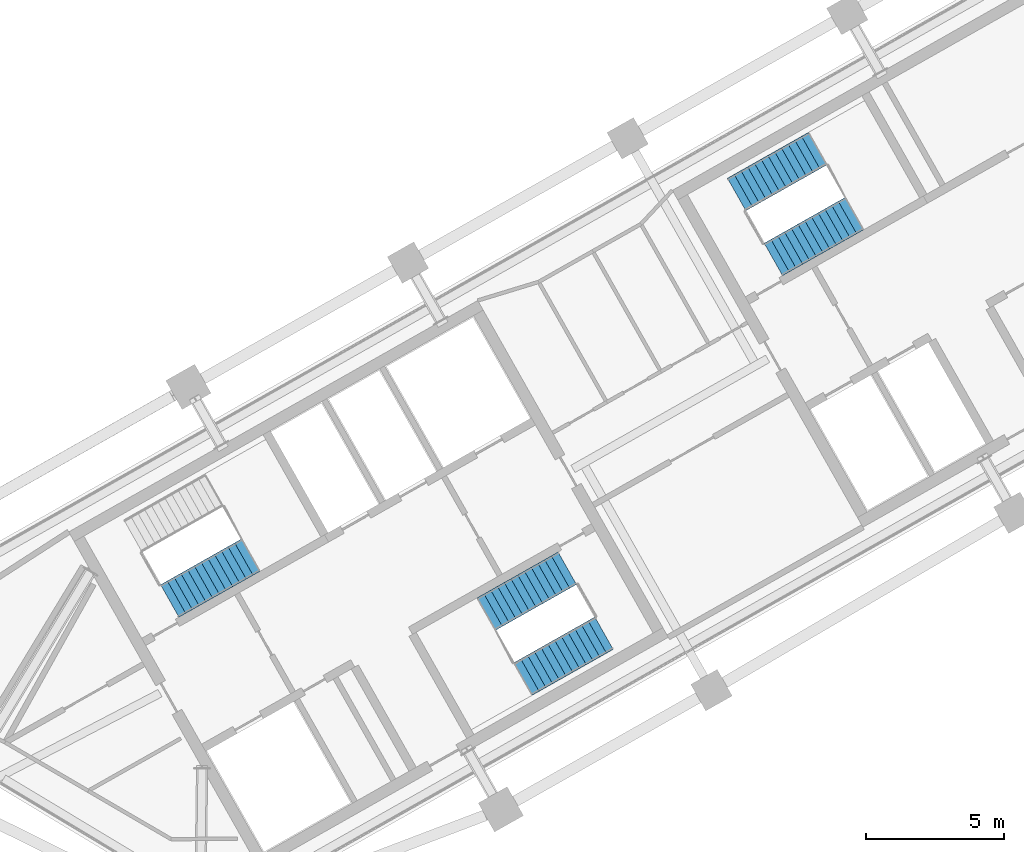
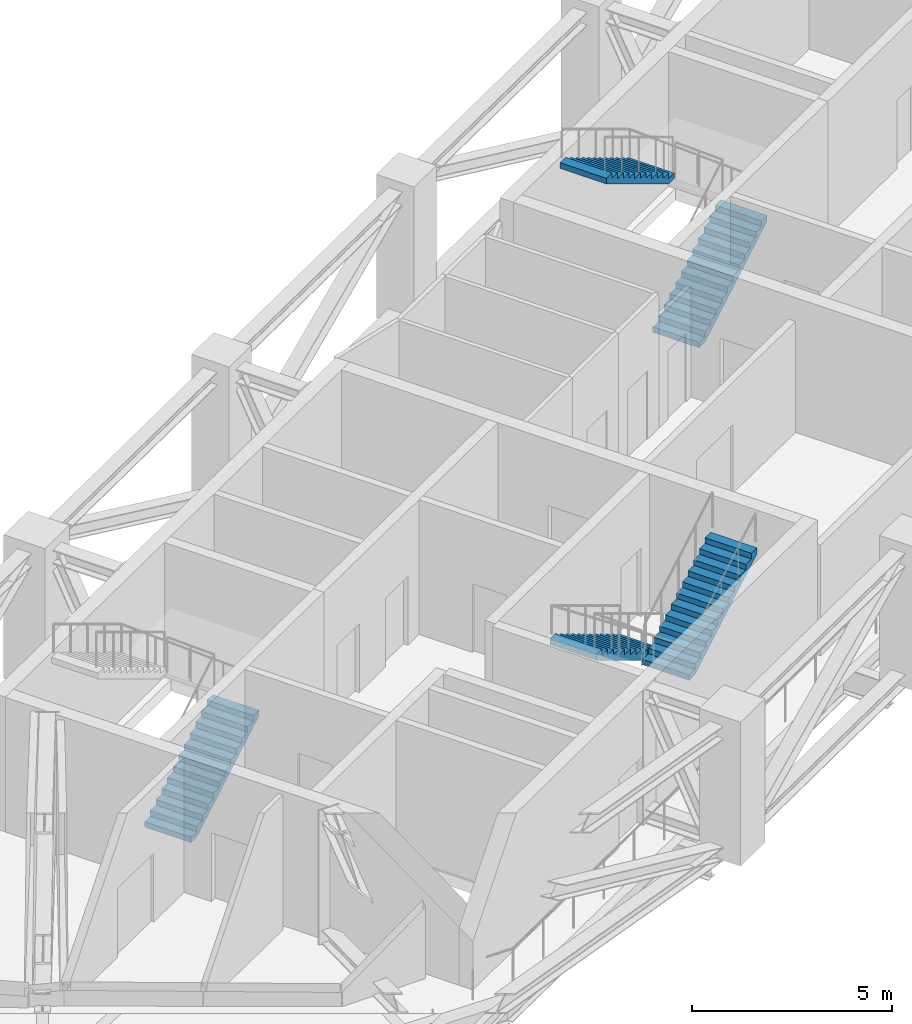
# One storey, part 8 of 10: 5 stair flights, 3 elements without a shape of their own.
"""IFC4 building model written with IfcOpenShell, lengths in metres."""

from ifc_helpers import new_model, si_unit, direction, frame, origin, place, context, subcontext, project, spatial, polyline, outline, extrude, material, type_object, element, aggregate, save


model = new_model("IFC4")

# Units and contexts
model_context = context("Model", 3, precision=1e-05, world=origin(), true_north=direction((0.0, 1.0)))
body_context = subcontext(model_context, "Body", "Model", "MODEL_VIEW")
ifc_project = project(units=[si_unit("LENGTHUNIT", "METRE"), si_unit("AREAUNIT", "SQUARE_METRE"), si_unit("VOLUMEUNIT", "CUBIC_METRE"), si_unit("PLANEANGLEUNIT", "RADIAN"), si_unit("MASSUNIT", "GRAM", prefix="KILO")], contexts=[model_context])

# Site, building, storey
site_placement = place(None, origin())
site = spatial("IfcSite", under=ifc_project, at=site_placement, CompositionType="ELEMENT")
building_placement = place(site_placement, origin())
building = spatial("IfcBuilding", under=site, at=building_placement, Name="Binnacle Exchange Tower", CompositionType="ELEMENT")
storey_placement = place(building_placement, frame((0.0, 0.0, 312.10009765625)))
storey = spatial("IfcBuildingStorey", under=building, at=storey_placement, Name="L70", CompositionType="ELEMENT", Elevation=312.10009765625)

# Stair, stair flight
ifc_material = material(Name="Concrete C35/45", Category="concrete")
stair_type = type_object("IfcStairType", Name="STAIR 26 RISERS 169", PredefinedType="HALF_TURN_STAIR", material=ifc_material)
stair_1_placement = place(storey_placement, origin())
stair_1 = element("IfcStair", 1, at=stair_1_placement, inside=storey, type_object=stair_type, Name="L70 Escape stair A1", PredefinedType="HALF_TURN_STAIR")
stair_flight_type = type_object("IfcStairFlightType", Name="STAIR FLIGHT 169X280", PredefinedType="STRAIGHT", material=ifc_material)
stair_flight_1_placement = place(storey_placement, frame((-42.9541015625, 39.17333984375, 0.0), z_axis=(0.0, 0.0, 1.0), x_axis=(0.870355584213, 0.492423757581, 0.0)))
stair_flight_1 = element("IfcStairFlight", 2, at=stair_flight_1_placement, type_object=stair_flight_type, Name="STA1 flight 1", NumberOfRisers=13, NumberOfTreads=12, PredefinedType="STRAIGHT", RiserHeight=0.169230769, TreadLength=0.28, context=body_context, shape_type="SweptSolid", body=[
    extrude(outline(polyline([(0.0, 0.0), (0.0, 0.169189453125), (0.280029296875, 0.169189453125), (0.280029296875, 0.33837890625), (0.56005859375, 0.33837890625), (0.56005859375, 0.5078125), (0.840087890625, 0.5078125), (0.840087890625, 0.677001953125), (1.1201171875, 0.677001953125), (1.1201171875, 0.84619140625), (1.39990234375, 0.84619140625), (1.39990234375, 1.015380859375), (1.679931640625, 1.015380859375), (1.679931640625, 1.1845703125), (1.9599609375, 1.1845703125), (1.9599609375, 1.353759765625), (2.239990234375, 1.353759765625), (2.239990234375, 1.523193359375), (2.52001953125, 1.523193359375), (2.52001953125, 1.6923828125), (2.800048828125, 1.6923828125), (2.800048828125, 1.861572265625), (3.080078125, 1.861572265625), (3.080078125, 2.03076171875), (3.360107421875, 2.03076171875), (3.360107421875, 2.199951171875), (3.360107421875, 1.855712890625), (0.289794921875, 0.0), (0.0, 0.0)])), frame((0.0, 0.675048828125, 0.0), z_axis=(0.0, -1.0, 0.0), x_axis=(1.0, 0.0, 0.0)), (0.0, 0.0, 1.0), 1.35009765625),
])
aggregate(stair_1, [stair_flight_1])

# Stair, stair flights
stair_2_placement = place(storey_placement, origin())
stair_2 = element("IfcStair", 3, at=stair_2_placement, inside=storey, type_object=stair_type, Name="L70 Escape stair A2", PredefinedType="HALF_TURN_STAIR")
stair_flight_2_placement = place(storey_placement, frame((-28.5732421875, 40.3583984375, 0.0), z_axis=(0.0, 0.0, 1.0), x_axis=(-0.870355584213, -0.492423757581, 0.0)))
stair_flight_2 = element("IfcStairFlight", 4, at=stair_flight_2_placement, type_object=stair_flight_type, Name="STA2 flight 1", NumberOfRisers=13, NumberOfTreads=12, PredefinedType="STRAIGHT", RiserHeight=0.169230769, TreadLength=0.28, context=body_context, shape_type="SweptSolid", body=[
    extrude(outline(polyline([(0.0, 0.0), (0.0, 0.169189453125), (0.280029296875, 0.169189453125), (0.280029296875, 0.33837890625), (0.56005859375, 0.33837890625), (0.56005859375, 0.5078125), (0.840087890625, 0.5078125), (0.840087890625, 0.677001953125), (1.1201171875, 0.677001953125), (1.1201171875, 0.84619140625), (1.39990234375, 0.84619140625), (1.39990234375, 1.015380859375), (1.679931640625, 1.015380859375), (1.679931640625, 1.1845703125), (1.9599609375, 1.1845703125), (1.9599609375, 1.353759765625), (2.239990234375, 1.353759765625), (2.239990234375, 1.523193359375), (2.52001953125, 1.523193359375), (2.52001953125, 1.6923828125), (2.800048828125, 1.6923828125), (2.800048828125, 1.861572265625), (3.080078125, 1.861572265625), (3.080078125, 2.03076171875), (3.360107421875, 2.03076171875), (3.360107421875, 2.199951171875), (3.360107421875, 1.855712890625), (0.289794921875, 0.0), (0.0, 0.0)])), frame((0.0, 0.675048828125, 0.0), z_axis=(0.0, -1.0, 0.0), x_axis=(1.0, 0.0, 0.0)), (0.0, 0.0, 1.0), 1.35009765625),
])
stair_flight_3_placement = place(storey_placement, frame((-30.16796875, 36.35400390625, 2.199951171875), z_axis=(0.0, 0.0, 1.0), x_axis=(0.870355584213, 0.492423757581, 0.0)))
stair_flight_3 = element("IfcStairFlight", 5, at=stair_flight_3_placement, type_object=stair_flight_type, Name="STA2 flight 2", NumberOfRisers=13, NumberOfTreads=12, PredefinedType="STRAIGHT", RiserHeight=0.169230769, TreadLength=0.28, context=body_context, shape_type="SweptSolid", body=[
    extrude(outline(polyline([(0.0, 0.0), (0.0, 0.169189453125), (0.280029296875, 0.169189453125), (0.280029296875, 0.33837890625), (0.56005859375, 0.33837890625), (0.56005859375, 0.5078125), (0.840087890625, 0.5078125), (0.840087890625, 0.677001953125), (1.1201171875, 0.677001953125), (1.1201171875, 0.84619140625), (1.39990234375, 0.84619140625), (1.39990234375, 1.015380859375), (1.679931640625, 1.015380859375), (1.679931640625, 1.1845703125), (1.9599609375, 1.1845703125), (1.9599609375, 1.353759765625), (2.239990234375, 1.353759765625), (2.239990234375, 1.523193359375), (2.52001953125, 1.523193359375), (2.52001953125, 1.6923828125), (2.800048828125, 1.6923828125), (2.800048828125, 1.861572265625), (3.080078125, 1.861572265625), (3.080078125, 2.03076171875), (3.360107421875, 2.03076171875), (3.360107421875, 2.199951171875), (3.360107421875, 1.855712890625), (0.289794921875, 0.0), (0.0, 0.0)])), frame((0.0, 0.675048828125, 0.0), z_axis=(0.0, -1.0, 0.0), x_axis=(1.0, 0.0, 0.0)), (0.0, 0.0, 1.0), 1.35009765625),
])
aggregate(stair_2, [stair_flight_2, stair_flight_3])

stair_3_placement = place(storey_placement, origin())
stair_3 = element("IfcStair", 6, at=stair_3_placement, inside=storey, type_object=stair_type, Name="L70 Escape stair C1", PredefinedType="HALF_TURN_STAIR")
stair_flight_4_placement = place(storey_placement, frame((-21.115966796875, 51.528564453125, 0.0), z_axis=(0.0, 0.0, 1.0), x_axis=(0.870355584213, 0.492423757581, 0.0)))
stair_flight_4 = element("IfcStairFlight", 7, at=stair_flight_4_placement, type_object=stair_flight_type, Name="STC1 flight 1", NumberOfRisers=13, NumberOfTreads=12, PredefinedType="STRAIGHT", RiserHeight=0.169230769, TreadLength=0.28, context=body_context, shape_type="SweptSolid", body=[
    extrude(outline(polyline([(0.0, 0.0), (0.0, 0.169189453125), (0.280029296875, 0.169189453125), (0.280029296875, 0.33837890625), (0.56005859375, 0.33837890625), (0.56005859375, 0.5078125), (0.840087890625, 0.5078125), (0.840087890625, 0.677001953125), (1.1201171875, 0.677001953125), (1.1201171875, 0.84619140625), (1.39990234375, 0.84619140625), (1.39990234375, 1.015380859375), (1.679931640625, 1.015380859375), (1.679931640625, 1.1845703125), (1.9599609375, 1.1845703125), (1.9599609375, 1.353759765625), (2.239990234375, 1.353759765625), (2.239990234375, 1.523193359375), (2.52001953125, 1.523193359375), (2.52001953125, 1.6923828125), (2.800048828125, 1.6923828125), (2.800048828125, 1.861572265625), (3.080078125, 1.861572265625), (3.080078125, 2.03076171875), (3.360107421875, 2.03076171875), (3.360107421875, 2.199951171875), (3.360107421875, 1.855712890625), (0.289794921875, 0.0), (0.0, 0.0)])), frame((0.0, 0.675048828125, 0.0), z_axis=(0.0, -1.0, 0.0), x_axis=(1.0, 0.0, 0.0)), (0.0, 0.0, 1.0), 1.35009765625),
])
stair_flight_5_placement = place(storey_placement, frame((-19.521240234375, 55.533203125, 2.199951171875), z_axis=(0.0, 0.0, 1.0), x_axis=(-0.870355584213, -0.492423757581, 0.0)))
stair_flight_5 = element("IfcStairFlight", 8, at=stair_flight_5_placement, type_object=stair_flight_type, Name="STC1 flight 2", NumberOfRisers=13, NumberOfTreads=12, PredefinedType="STRAIGHT", RiserHeight=0.169230769, TreadLength=0.28, context=body_context, shape_type="SweptSolid", body=[
    extrude(outline(polyline([(0.0, 0.0), (0.0, 0.169189453125), (0.280029296875, 0.169189453125), (0.280029296875, 0.33837890625), (0.56005859375, 0.33837890625), (0.56005859375, 0.5078125), (0.840087890625, 0.5078125), (0.840087890625, 0.677001953125), (1.1201171875, 0.677001953125), (1.1201171875, 0.84619140625), (1.39990234375, 0.84619140625), (1.39990234375, 1.015380859375), (1.679931640625, 1.015380859375), (1.679931640625, 1.1845703125), (1.9599609375, 1.1845703125), (1.9599609375, 1.353759765625), (2.239990234375, 1.353759765625), (2.239990234375, 1.523193359375), (2.52001953125, 1.523193359375), (2.52001953125, 1.6923828125), (2.800048828125, 1.6923828125), (2.800048828125, 1.861572265625), (3.080078125, 1.861572265625), (3.080078125, 2.03076171875), (3.360107421875, 2.03076171875), (3.360107421875, 2.199951171875), (3.360107421875, 1.855712890625), (0.289794921875, 0.0), (0.0, 0.0)])), frame((0.0, 0.675048828125, 0.0), z_axis=(0.0, -1.0, 0.0), x_axis=(1.0, 0.0, 0.0)), (0.0, 0.0, 1.0), 1.35009765625),
])
aggregate(stair_3, [stair_flight_4, stair_flight_5])

save(model, "model.ifc")
